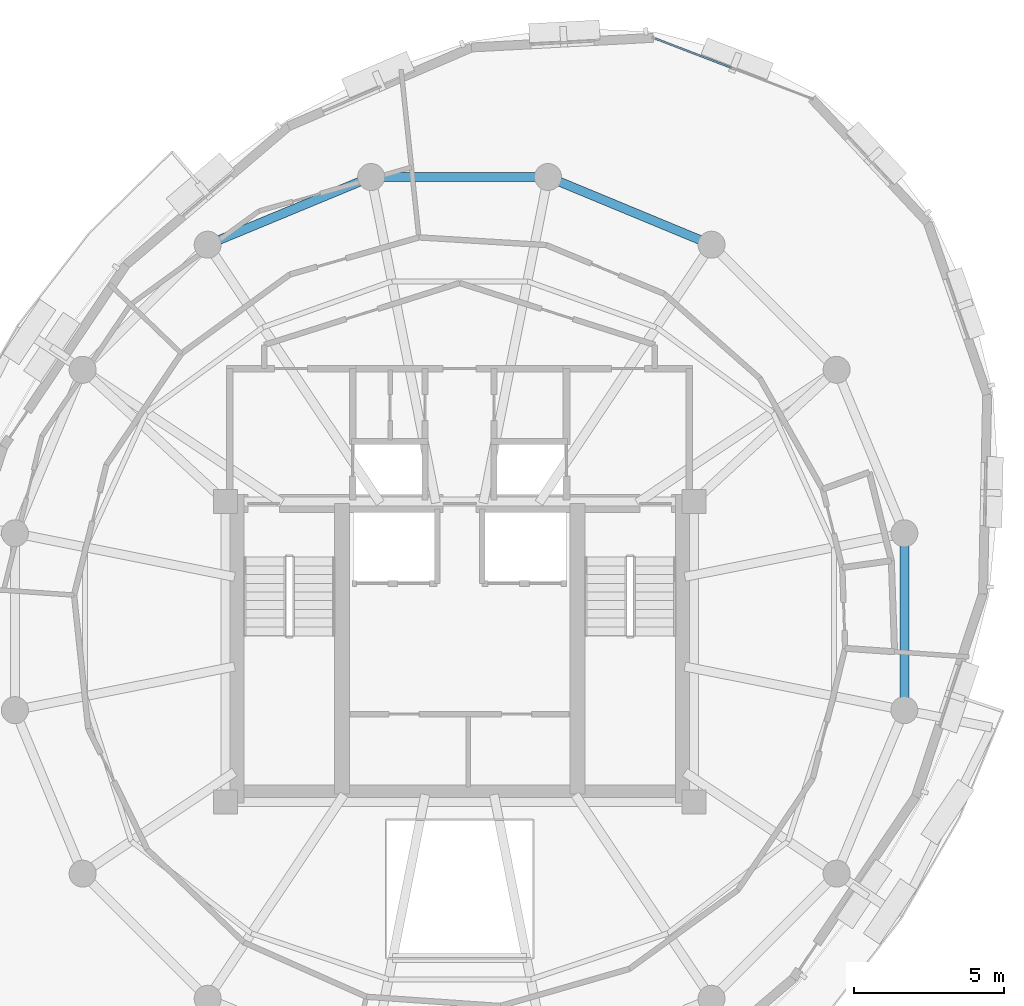
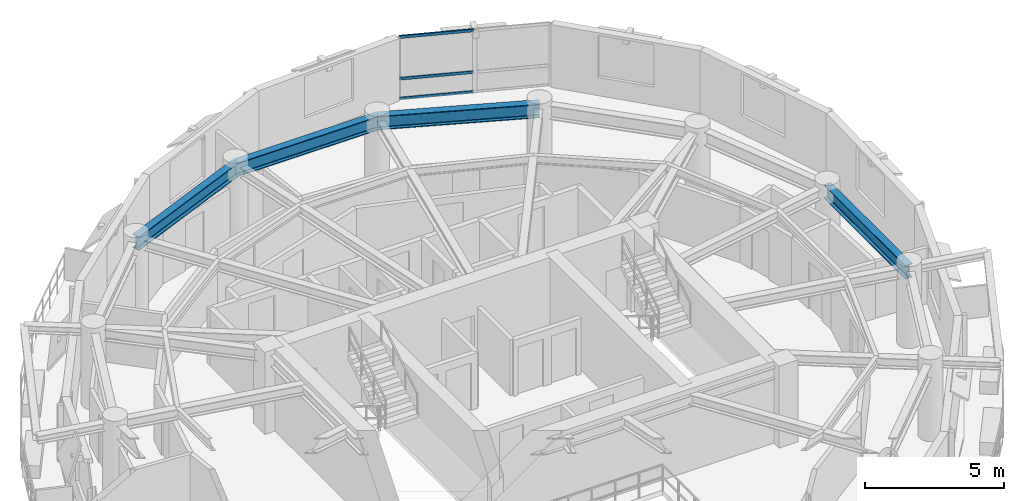
# One storey, part 4 of 11: 4 beams, 3 members, 1 element without a shape of its own.
"""IFC4 building model written with IfcOpenShell, lengths in metres."""

from ifc_helpers import new_model, si_unit, direction, frame, origin, origin_2d, place, context, subcontext, project, spatial, hollow_rectangle, i_section, extrude, material, layer, layer_set, material_profile, profile_set, type_object, element, aggregate, save


model = new_model("IFC4")

# Units and contexts
model_context = context("Model", 3, precision=1e-05, world=origin(), true_north=direction((0.0, 1.0)))
body_context = subcontext(model_context, "Body", "Model", "MODEL_VIEW")
ifc_project = project(units=[si_unit("LENGTHUNIT", "METRE"), si_unit("AREAUNIT", "SQUARE_METRE"), si_unit("VOLUMEUNIT", "CUBIC_METRE"), si_unit("PLANEANGLEUNIT", "RADIAN"), si_unit("MASSUNIT", "GRAM", prefix="KILO"), si_unit("THERMODYNAMICTEMPERATUREUNIT", "KELVIN"), si_unit("POWERUNIT", "WATT")], contexts=[model_context])

# Site, building, storey
site_placement = place(None, origin())
site = spatial("IfcSite", under=ifc_project, at=site_placement, CompositionType="ELEMENT")
building_placement = place(site_placement, origin())
building = spatial("IfcBuilding", under=site, at=building_placement, Name="Ocrelia Relay Tower", CompositionType="ELEMENT")
storey_placement = place(building_placement, frame((0.0, 0.0, 262.800048828125)))
storey = spatial("IfcBuildingStorey", under=building, at=storey_placement, Name="L65", CompositionType="ELEMENT", Elevation=262.800048828125)

# Beams
ifc_material_1 = material(Name="Steel S355", Category="steel")
ifc_material_profile_1 = material_profile(ifc_material_1, i_section(OverallWidth=0.300048828125, OverallDepth=0.60009765625, WebThickness=0.015380859375, FlangeThickness=0.030029296875, FilletRadius=0.027099609375, at=origin_2d()), Name="HEB 600")
ifc_profile_set_1 = profile_set([ifc_material_profile_1], Name="Steel S355")
beam_type = type_object("IfcBeamType", Name="BM-HEB600", PredefinedType="BEAM", material=ifc_profile_set_1)
beam_1_placement = place(storey_placement, frame((42.38916015625, 38.55517578125, 3.079833984375), z_axis=(-0.923884009374, 0.382672624084, 0.0), x_axis=(-0.382672624084, -0.923884009374, 0.0)))
element("IfcBeam", 1, at=beam_1_placement, inside=storey, type_object=beam_type, Name="L65 Perimeter Spandrel Beam S03", PredefinedType="BEAM", context=body_context, shape_type="SweptSolid", body=[
    extrude(i_section(OverallWidth=0.300048828125, OverallDepth=0.60009765625, WebThickness=0.015380859375, FlangeThickness=0.030029296875, FilletRadius=0.027099609375, at=origin_2d()), origin(), (0.0, 0.0, 1.0), 5.891845703125),
])
beam_2_placement = place(storey_placement, frame((36.94580078125, 40.809814453125, 3.079833984375), z_axis=(-1.0, 0.0, 0.0), x_axis=(0.0, -1.0, 0.0)))
element("IfcBeam", 2, at=beam_2_placement, inside=storey, type_object=beam_type, Name="L65 Perimeter Spandrel Beam S04", PredefinedType="BEAM", context=body_context, shape_type="SweptSolid", body=[
    extrude(i_section(OverallWidth=0.300048828125, OverallDepth=0.60009765625, WebThickness=0.015380859375, FlangeThickness=0.030029296875, FilletRadius=0.027099609375, at=origin_2d()), origin(), (0.0, 0.0, 1.0), 5.8916015625),
])
beam_3_placement = place(storey_placement, frame((31.05419921875, 40.809814453125, 3.079833984375), z_axis=(-0.923884009374, -0.382672624084, 0.0), x_axis=(0.382672624084, -0.923884009374, 0.0)))
element("IfcBeam", 3, at=beam_3_placement, inside=storey, type_object=beam_type, Name="L65 Perimeter Spandrel Beam S05", PredefinedType="BEAM", context=body_context, shape_type="SweptSolid", body=[
    extrude(i_section(OverallWidth=0.300048828125, OverallDepth=0.60009765625, WebThickness=0.015380859375, FlangeThickness=0.030029296875, FilletRadius=0.027099609375, at=origin_2d()), origin(), (0.0, 0.0, 1.0), 5.891845703125),
])
beam_4_placement = place(storey_placement, frame((48.809814453125, 23.05419921875, 3.079833984375), z_axis=(0.0, 1.0, 0.0), x_axis=(-1.0, 0.0, 0.0)))
element("IfcBeam", 4, at=beam_4_placement, inside=storey, type_object=beam_type, Name="L65 Perimeter Spandrel Beam S16", PredefinedType="BEAM", context=body_context, shape_type="SweptSolid", body=[
    extrude(i_section(OverallWidth=0.300048828125, OverallDepth=0.60009765625, WebThickness=0.015380859375, FlangeThickness=0.030029296875, FilletRadius=0.027099609375, at=origin_2d()), origin(), (0.0, 0.0, 1.0), 5.8916015625),
])

# Curtain wall, members
ifc_material_2 = material(Name="Aluminium and solar-control low-E glass", Category="aluminium")
ifc_layer = layer(ifc_material_2, 0.179931640625, Name="Aluminium and solar-control low-E glass")
ifc_layer_set = layer_set([ifc_layer], Name="Aluminium and solar-control low-E glass")
curtain_wall_type = type_object("IfcCurtainWallType", Name="CW-SYS-Z4-EXEC", PredefinedType="NOTDEFINED", material=ifc_layer_set)
curtain_wall_placement = place(storey_placement, origin())
curtain_wall = element("IfcCurtainWall", 5, at=curtain_wall_placement, inside=storey, type_object=curtain_wall_type, Name="L65 Elliptical Tower Curtain Wall Bay 01", PredefinedType="NOTDEFINED")
ifc_material_3 = material(Name="Anodised bronze aluminium", Category="aluminium")
ifc_material_profile_2 = material_profile(ifc_material_3, hollow_rectangle(XDim=0.06005859375, YDim=0.1201171875, WallThickness=0.0048828125, at=origin_2d()), Name="CW-TRN-120x60")
ifc_profile_set_2 = profile_set([ifc_material_profile_2], Name="Anodised bronze aluminium")
member_type = type_object("IfcMemberType", Name="CW-SYS-Z4-EXEC-TRN", PredefinedType="USERDEFINED", material=ifc_profile_set_2)
member_1_placement = place(storey_placement, frame((43.06005859375, 44.444091796875, 0.030029296875), z_axis=(-0.933612935235, 0.358283249904, 0.0), x_axis=(-0.358283249904, -0.933612935235, 0.0)))
member_1 = element("IfcMember", 6, at=member_1_placement, type_object=member_type, Name="CW-Z4 transom 2.1", ObjectType="TRANSOM", PredefinedType="USERDEFINED", context=body_context, shape_type="SweptSolid", body=[
    extrude(hollow_rectangle(XDim=0.06005859375, YDim=0.1201171875, WallThickness=0.0048828125, at=origin_2d()), origin(), (0.0, 0.0, 1.0), 2.727783203125),
])
member_2_placement = place(storey_placement, frame((43.06005859375, 44.444091796875, 0.89990234375), z_axis=(-0.933612935235, 0.358283249904, 0.0), x_axis=(-0.358283249904, -0.933612935235, 0.0)))
member_2 = element("IfcMember", 7, at=member_2_placement, type_object=member_type, Name="CW-Z4 transom 2.2", ObjectType="TRANSOM", PredefinedType="USERDEFINED", context=body_context, shape_type="SweptSolid", body=[
    extrude(hollow_rectangle(XDim=0.06005859375, YDim=0.1201171875, WallThickness=0.0048828125, at=origin_2d()), origin(), (0.0, 0.0, 1.0), 2.727783203125),
])
member_3_placement = place(storey_placement, frame((43.06005859375, 44.444091796875, 2.72998046875), z_axis=(-0.933612935235, 0.358283249904, 0.0), x_axis=(-0.358283249904, -0.933612935235, 0.0)))
member_3 = element("IfcMember", 8, at=member_3_placement, type_object=member_type, Name="CW-Z4 transom 2.3", ObjectType="TRANSOM", PredefinedType="USERDEFINED", context=body_context, shape_type="SweptSolid", body=[
    extrude(hollow_rectangle(XDim=0.06005859375, YDim=0.1201171875, WallThickness=0.0048828125, at=origin_2d()), origin(), (0.0, 0.0, 1.0), 2.727783203125),
])
aggregate(curtain_wall, [member_1, member_2, member_3])

save(model, "model.ifc")
